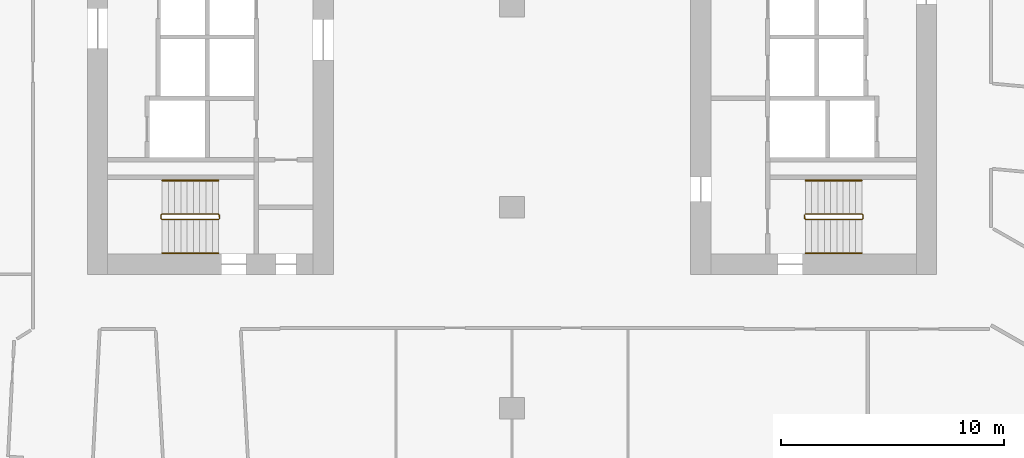
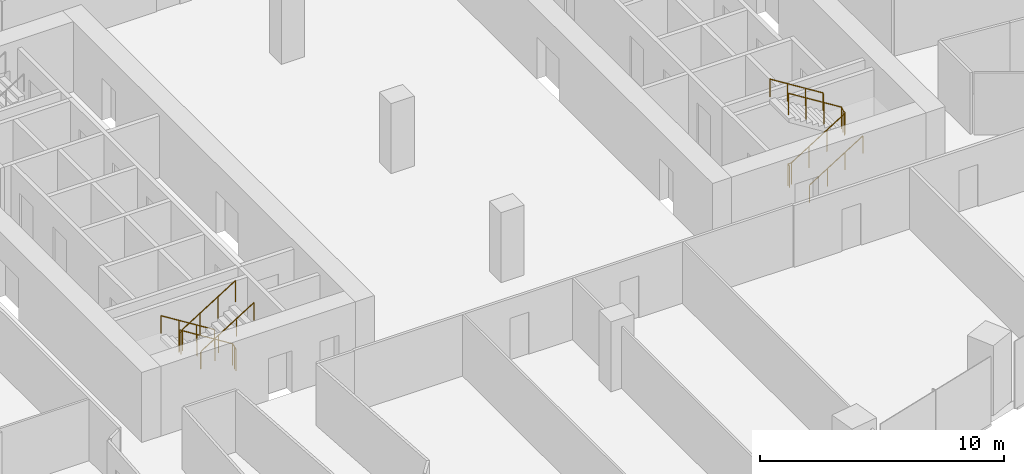
# One storey, part 29 of 31: 6 railings.
"""IFC4 building model written with IfcOpenShell, lengths in metres."""

from ifc_helpers import new_model, si_unit, direction, frame, origin, origin_2d, place, context, subcontext, project, spatial, circle, extrude, material, type_object, element, save


model = new_model("IFC4")

# Units and contexts
model_context = context("Model", 3, precision=1e-05, world=origin(), true_north=direction((0.0, 1.0)))
body_context = subcontext(model_context, "Body", "Model", "MODEL_VIEW")
ifc_project = project(units=[si_unit("LENGTHUNIT", "METRE"), si_unit("AREAUNIT", "SQUARE_METRE"), si_unit("VOLUMEUNIT", "CUBIC_METRE"), si_unit("PLANEANGLEUNIT", "RADIAN"), si_unit("MASSUNIT", "GRAM", prefix="KILO")], contexts=[model_context])

# Site, building, storey
site_placement = place(None, origin())
site = spatial("IfcSite", under=ifc_project, at=site_placement, CompositionType="ELEMENT")
building_placement = place(site_placement, origin())
building = spatial("IfcBuilding", under=site, at=building_placement, Name="Orlundy Tower", CompositionType="ELEMENT")
storey_placement = place(building_placement, frame((0.0, 0.0, 87.699951171875)))
storey = spatial("IfcBuildingStorey", under=building, at=storey_placement, Name="L21", CompositionType="ELEMENT", Elevation=87.699951171875)

# Railings
ifc_material_1 = material(Name="Steel balustrade", Category="steel")
railing_type_1 = type_object("IfcRailingType", Name="Stair Guard 1100", PredefinedType="GUARDRAIL", material=ifc_material_1)
railing_1_placement = place(storey_placement, frame((-13.090087890625, -9.35009765625, 0.0)))
element("IfcRailing", 1, at=railing_1_placement, inside=storey, type_object=railing_type_1, Name="L21 ST-W2 stair guard 1", PredefinedType="GUARDRAIL", context=body_context, shape_type="SweptSolid", body=[
    extrude(circle(Radius=0.02392578125, at=origin_2d()), frame((0.0, 0.0, 1.076171875), z_axis=(0.0, -1.0, 0.0), x_axis=(1.0, 0.0, 0.0)), (0.0, 0.0, 1.0), 0.14990234375),
    extrude(circle(Radius=0.02392578125, at=origin_2d()), frame((0.0, -0.14990234375, 1.076171875), z_axis=(-0.18420542264, 0.739530593833, 0.647427882513), x_axis=(-0.970351222016, -0.241699205484, 0.0)), (0.0, 0.0, 1.0), 0.270263671875),
    extrude(circle(Radius=0.02392578125, at=origin_2d()), frame((-0.0498046875, 0.050048828125, 1.2509765625), z_axis=(-0.848007534815, 0.0, 0.529984170421), x_axis=(0.0, -1.0, 0.0)), (0.0, 0.0, 1.0), 2.9716796875),
    extrude(circle(Radius=0.02392578125, at=origin_2d()), frame((-2.56982421875, 0.050048828125, 2.826171875), z_axis=(-0.707106781187, -0.707106781187, 0.0), x_axis=(0.707106781187, -0.707106781187, 0.0)), (0.0, 0.0, 1.0), 0.07080078125),
    extrude(circle(Radius=0.02392578125, at=origin_2d()), frame((-2.619873046875, 0.0, 2.826171875), z_axis=(0.0, -1.0, 0.0), x_axis=(1.0, 0.0, 0.0)), (0.0, 0.0, 1.0), 0.14990234375),
    extrude(circle(Radius=0.02392578125, at=origin_2d()), frame((-2.619873046875, -0.14990234375, 2.826171875), z_axis=(0.265065253269, -0.265065253269, 0.927081885822), x_axis=(0.707106781187, 0.707106781187, 0.0)), (0.0, 0.0, 1.0), 0.188720703125),
    extrude(circle(Radius=0.02392578125, at=origin_2d()), frame((-2.56982421875, -0.199951171875, 3.0009765625), z_axis=(0.848007534815, 0.0, 0.529984170421), x_axis=(0.0, 1.0, 0.0)), (0.0, 0.0, 1.0), 2.9716796875),
    extrude(circle(Radius=0.02099609375, at=origin_2d()), origin(), (0.0, 0.0, 1.0), 1.052001953125),
    extrude(circle(Radius=0.02099609375, at=origin_2d()), frame((0.0, -0.14990234375, 0.0)), (0.0, 0.0, 1.0), 1.052001953125),
    extrude(circle(Radius=0.02099609375, at=origin_2d()), frame((-0.0498046875, 0.050048828125, 0.175048828125)), (0.0, 0.0, 1.0), 1.052001953125),
    extrude(circle(Radius=0.02099609375, at=origin_2d()), frame((-0.889892578125, 0.050048828125, 0.699951171875)), (0.0, 0.0, 1.0), 1.052001953125),
    extrude(circle(Radius=0.02099609375, at=origin_2d()), frame((-1.729736328125, 0.050048828125, 1.22509765625)), (0.0, 0.0, 1.0), 1.052001953125),
    extrude(circle(Radius=0.02099609375, at=origin_2d()), frame((-2.56982421875, 0.050048828125, 1.75)), (0.0, 0.0, 1.0), 1.052001953125),
    extrude(circle(Radius=0.02099609375, at=origin_2d()), frame((-2.619873046875, 0.0, 1.75)), (0.0, 0.0, 1.0), 1.052001953125),
    extrude(circle(Radius=0.02099609375, at=origin_2d()), frame((-2.619873046875, -0.14990234375, 1.75)), (0.0, 0.0, 1.0), 1.052001953125),
    extrude(circle(Radius=0.02099609375, at=origin_2d()), frame((-2.56982421875, -0.199951171875, 1.925048828125)), (0.0, 0.0, 1.0), 1.052001953125),
    extrude(circle(Radius=0.02099609375, at=origin_2d()), frame((-1.729736328125, -0.199951171875, 2.449951171875)), (0.0, 0.0, 1.0), 1.052001953125),
    extrude(circle(Radius=0.02099609375, at=origin_2d()), frame((-0.889892578125, -0.199951171875, 2.97509765625)), (0.0, 0.0, 1.0), 1.052001953125),
    extrude(circle(Radius=0.02099609375, at=origin_2d()), frame((-0.0498046875, -0.199951171875, 3.5)), (0.0, 0.0, 1.0), 1.052001953125),
])
railing_2_placement = place(storey_placement, frame((13.090087890625, -9.5, 0.0)))
element("IfcRailing", 2, at=railing_2_placement, inside=storey, type_object=railing_type_1, Name="L21 ST-E1 stair guard 1", PredefinedType="GUARDRAIL", context=body_context, shape_type="SweptSolid", body=[
    extrude(circle(Radius=0.02392578125, at=origin_2d()), frame((0.0, 0.0, 1.076171875), z_axis=(0.0, 1.0, 0.0), x_axis=(-1.0, 0.0, 0.0)), (0.0, 0.0, 1.0), 0.14990234375),
    extrude(circle(Radius=0.02392578125, at=origin_2d()), frame((0.0, 0.14990234375, 1.076171875), z_axis=(0.18420542264, -0.739530593833, 0.647427882513), x_axis=(0.970351222016, 0.241699205484, 0.0)), (0.0, 0.0, 1.0), 0.270263671875),
    extrude(circle(Radius=0.02392578125, at=origin_2d()), frame((0.0498046875, -0.050048828125, 1.2509765625), z_axis=(0.848007534815, 0.0, 0.529984170421), x_axis=(0.0, 1.0, 0.0)), (0.0, 0.0, 1.0), 2.9716796875),
    extrude(circle(Radius=0.02392578125, at=origin_2d()), frame((2.56982421875, -0.050048828125, 2.826171875), z_axis=(0.707106781187, 0.707106781187, 0.0), x_axis=(-0.707106781187, 0.707106781187, 0.0)), (0.0, 0.0, 1.0), 0.07080078125),
    extrude(circle(Radius=0.02392578125, at=origin_2d()), frame((2.619873046875, 0.0, 2.826171875), z_axis=(0.0, 1.0, 0.0), x_axis=(-1.0, 0.0, 0.0)), (0.0, 0.0, 1.0), 0.14990234375),
    extrude(circle(Radius=0.02392578125, at=origin_2d()), frame((2.619873046875, 0.14990234375, 2.826171875), z_axis=(-0.265065253269, 0.265065253269, 0.927081885822), x_axis=(-0.707106781187, -0.707106781187, 0.0)), (0.0, 0.0, 1.0), 0.188720703125),
    extrude(circle(Radius=0.02392578125, at=origin_2d()), frame((2.56982421875, 0.199951171875, 3.0009765625), z_axis=(-0.848007534815, 0.0, 0.529984170421), x_axis=(0.0, -1.0, 0.0)), (0.0, 0.0, 1.0), 2.9716796875),
    extrude(circle(Radius=0.02099609375, at=origin_2d()), origin(), (0.0, 0.0, 1.0), 1.052001953125),
    extrude(circle(Radius=0.02099609375, at=origin_2d()), frame((0.0, 0.14990234375, 0.0)), (0.0, 0.0, 1.0), 1.052001953125),
    extrude(circle(Radius=0.02099609375, at=origin_2d()), frame((0.0498046875, -0.050048828125, 0.175048828125)), (0.0, 0.0, 1.0), 1.052001953125),
    extrude(circle(Radius=0.02099609375, at=origin_2d()), frame((0.889892578125, -0.050048828125, 0.699951171875)), (0.0, 0.0, 1.0), 1.052001953125),
    extrude(circle(Radius=0.02099609375, at=origin_2d()), frame((1.729736328125, -0.050048828125, 1.22509765625)), (0.0, 0.0, 1.0), 1.052001953125),
    extrude(circle(Radius=0.02099609375, at=origin_2d()), frame((2.56982421875, -0.050048828125, 1.75)), (0.0, 0.0, 1.0), 1.052001953125),
    extrude(circle(Radius=0.02099609375, at=origin_2d()), frame((2.619873046875, 0.0, 1.75)), (0.0, 0.0, 1.0), 1.052001953125),
    extrude(circle(Radius=0.02099609375, at=origin_2d()), frame((2.619873046875, 0.14990234375, 1.75)), (0.0, 0.0, 1.0), 1.052001953125),
    extrude(circle(Radius=0.02099609375, at=origin_2d()), frame((2.56982421875, 0.199951171875, 1.925048828125)), (0.0, 0.0, 1.0), 1.052001953125),
    extrude(circle(Radius=0.02099609375, at=origin_2d()), frame((1.729736328125, 0.199951171875, 2.449951171875)), (0.0, 0.0, 1.0), 1.052001953125),
    extrude(circle(Radius=0.02099609375, at=origin_2d()), frame((0.889892578125, 0.199951171875, 2.97509765625)), (0.0, 0.0, 1.0), 1.052001953125),
    extrude(circle(Radius=0.02099609375, at=origin_2d()), frame((0.0498046875, 0.199951171875, 3.5)), (0.0, 0.0, 1.0), 1.052001953125),
])
ifc_material_2 = material(Name="Steel handrail", Category="steel")
railing_type_2 = type_object("IfcRailingType", Name="Stair Handrail 900", PredefinedType="HANDRAIL", material=ifc_material_2)
railing_3_placement = place(storey_placement, frame((-13.139892578125, -7.800048828125, 0.175048828125)))
element("IfcRailing", 3, at=railing_3_placement, inside=storey, type_object=railing_type_2, Name="L21 ST-W2 stair handrail 1", PredefinedType="HANDRAIL", context=body_context, shape_type="SweptSolid", body=[
    extrude(circle(Radius=0.02392578125, at=origin_2d()), frame((0.0, 0.0, 0.8759765625), z_axis=(-0.848007534815, 0.0, 0.529984170421), x_axis=(0.0, -1.0, 0.0)), (0.0, 0.0, 1.0), 2.9716796875),
    extrude(circle(Radius=0.02099609375, at=origin_2d()), origin(), (0.0, 0.0, 1.0), 0.851806640625),
    extrude(circle(Radius=0.02099609375, at=origin_2d()), frame((-0.840087890625, 0.0, 0.52490234375)), (0.0, 0.0, 1.0), 0.851806640625),
    extrude(circle(Radius=0.02099609375, at=origin_2d()), frame((-1.679931640625, 0.0, 1.050048828125)), (0.0, 0.0, 1.0), 0.851806640625),
    extrude(circle(Radius=0.02099609375, at=origin_2d()), frame((-2.52001953125, 0.0, 1.574951171875)), (0.0, 0.0, 1.0), 0.851806640625),
])
for number, where, name in (
    (4, (-15.659912109375, -11.050048828125, 1.925048828125), "L21 ST-W2 stair handrail 2"),
    (5, (13.139892578125, -11.050048828125, 0.175048828125), "L21 ST-E1 stair handrail 1"),
):
    element("IfcRailing", number, at=place(storey_placement, frame(where)), inside=storey, type_object=railing_type_2, Name=name, PredefinedType="HANDRAIL", context=body_context, shape_type="SweptSolid", body=[
        extrude(circle(Radius=0.02392578125, at=origin_2d()), frame((0.0, 0.0, 0.8759765625), z_axis=(0.848007534815, 0.0, 0.529984170421), x_axis=(0.0, 1.0, 0.0)), (0.0, 0.0, 1.0), 2.9716796875),
        extrude(circle(Radius=0.02099609375, at=origin_2d()), origin(), (0.0, 0.0, 1.0), 0.851806640625),
        extrude(circle(Radius=0.02099609375, at=origin_2d()), frame((0.840087890625, 0.0, 0.52490234375)), (0.0, 0.0, 1.0), 0.851806640625),
        extrude(circle(Radius=0.02099609375, at=origin_2d()), frame((1.679931640625, 0.0, 1.050048828125)), (0.0, 0.0, 1.0), 0.851806640625),
        extrude(circle(Radius=0.02099609375, at=origin_2d()), frame((2.52001953125, 0.0, 1.574951171875)), (0.0, 0.0, 1.0), 0.851806640625),
    ])
railing_4_placement = place(storey_placement, frame((15.659912109375, -7.800048828125, 1.925048828125)))
element("IfcRailing", 6, at=railing_4_placement, inside=storey, type_object=railing_type_2, Name="L21 ST-E1 stair handrail 2", PredefinedType="HANDRAIL", context=body_context, shape_type="SweptSolid", body=[
    extrude(circle(Radius=0.02392578125, at=origin_2d()), frame((0.0, 0.0, 0.8759765625), z_axis=(-0.848007534815, 0.0, 0.529984170421), x_axis=(0.0, -1.0, 0.0)), (0.0, 0.0, 1.0), 2.9716796875),
    extrude(circle(Radius=0.02099609375, at=origin_2d()), origin(), (0.0, 0.0, 1.0), 0.851806640625),
    extrude(circle(Radius=0.02099609375, at=origin_2d()), frame((-0.840087890625, 0.0, 0.52490234375)), (0.0, 0.0, 1.0), 0.851806640625),
    extrude(circle(Radius=0.02099609375, at=origin_2d()), frame((-1.679931640625, 0.0, 1.050048828125)), (0.0, 0.0, 1.0), 0.851806640625),
    extrude(circle(Radius=0.02099609375, at=origin_2d()), frame((-2.52001953125, 0.0, 1.574951171875)), (0.0, 0.0, 1.0), 0.851806640625),
])

save(model, "model.ifc")
